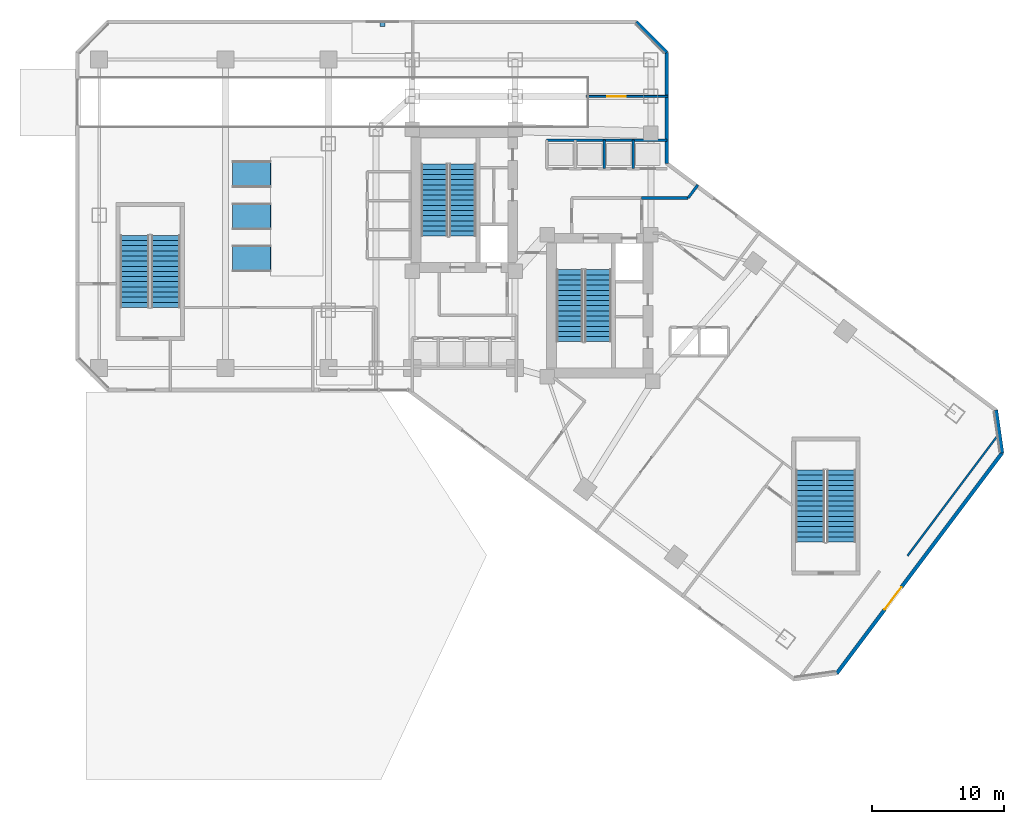
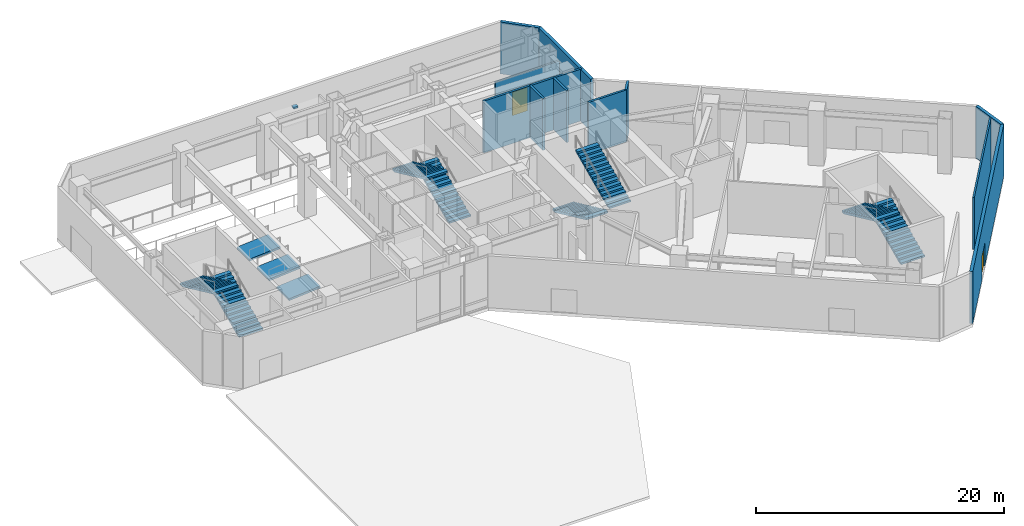
# One storey, part 7 of 13: 11 walls, 8 stair flights, 3 ramp flights, 2 doors, 1 discrete accessory, 2 openings, 7 elements without a shape of their own.
"""IFC4 building model written with IfcOpenShell, lengths in metres."""

from ifc_helpers import new_model, si_unit, direction, frame, frame_2d, origin, origin_2d, place, context, subcontext, project, spatial, polyline, rectangle, outline, extrude, material, layer, layer_set, type_object, element, fill, aggregate, save


model = new_model("IFC4")

# Units and contexts
model_context = context("Model", 3, precision=1e-05, world=origin(), true_north=direction((0.0, 1.0)))
body_context = subcontext(model_context, "Body", "Model", "MODEL_VIEW")
ifc_project = project(units=[si_unit("LENGTHUNIT", "METRE"), si_unit("AREAUNIT", "SQUARE_METRE"), si_unit("VOLUMEUNIT", "CUBIC_METRE"), si_unit("PLANEANGLEUNIT", "RADIAN"), si_unit("MASSUNIT", "GRAM", prefix="KILO")], contexts=[model_context])

# Site, building, storey
site_placement = place(None, origin())
site = spatial("IfcSite", under=ifc_project, at=site_placement, CompositionType="ELEMENT")
building_placement = place(site_placement, origin())
building = spatial("IfcBuilding", under=site, at=building_placement, Name="Hatsunagi Terrace Concourse", CompositionType="ELEMENT")
storey_placement = place(building_placement, origin())
storey = spatial("IfcBuildingStorey", under=building, at=storey_placement, Name="L01", CompositionType="ELEMENT", Elevation=0.0)

# Wall
ifc_material_1 = material(Name="Acoustic mineral board", Category="gypsum")
ifc_layer_1 = layer(ifc_material_1, 0.14990234375)
ifc_layer_set_1 = layer_set([ifc_layer_1], Name="PartitionWall_EI60_150")
wall_type_1 = type_object("IfcWallType", Name="PartitionWall_EI60_150", PredefinedType="PARTITIONING", material=ifc_layer_set_1)
wall_1_placement = place(storey_placement, frame((63.1201171875, 10.9599609375, 0.0), z_axis=(0.0, 0.0, 1.0), x_axis=(0.599980042057, 0.800014968068, 0.0)))
element("IfcWall", 1, at=wall_1_placement, inside=storey, type_object=wall_type_1, Name="Interior Partition IW-L01-061", PredefinedType="PARTITIONING", context=body_context, shape_type="SweptSolid", body=[
    extrude(rectangle(XDim=11.74365234375, YDim=0.14990234375, at=frame_2d((5.871826171875, 0.0))), origin(), (0.0, 0.0, 1.0), 5.10009765625),
])

# Wall, opening, door
wall_2_placement = place(storey_placement, frame((38.77001953125, 45.800048828125, 0.0), z_axis=(0.0, 0.0, 1.0), x_axis=(1.0, 0.0, 0.0)))
wall_2 = element("IfcWall", 2, at=wall_2_placement, inside=storey, type_object=wall_type_1, Name="Interior Partition IW-L01-062", PredefinedType="PARTITIONING", context=body_context, shape_type="SweptSolid", body=[
    extrude(rectangle(XDim=6.18994140625, YDim=0.14990234375, at=frame_2d((3.094970703125, 0.0))), origin(), (0.0, 0.0, 1.0), 3.89501953125),
])
opening_1_placement = place(wall_2_placement, frame((1.589111328125, 0.0, 0.0)))
opening_1 = element("IfcOpeningElement", 3, at=opening_1_placement, cuts=wall_2, Name="Opening DR-140", PredefinedType="OPENING", context=body_context, shape_type="SweptSolid", body=[
    extrude(rectangle(XDim=1.39990234375, YDim=2.300048828125, at=frame_2d((0.699951171875, 1.14990234375))), frame((0.0, 0.0849609375, 0.0), z_axis=(0.0, -1.0, 0.0), x_axis=(1.0, 0.0, 0.0)), (0.0, 0.0, 1.0), 0.169921875),
])
ifc_material_2 = material(Name="Hardwood timber", Category="wood")
door_type_1 = type_object("IfcDoorType", Name="LoungeDiningDoubleDoor_1400", OperationType="DOUBLE_DOOR_SINGLE_SWING", PredefinedType="DOOR", material=ifc_material_2)
door_1_placement = place(opening_1_placement, origin())
door_1 = element("IfcDoor", 4, at=door_1_placement, inside=storey, type_object=door_type_1, Name="Office Shuttle Lobby L01-OLOB Door", OperationType="DOUBLE_DOOR_SINGLE_SWING", OverallHeight=2.300048828125, OverallWidth=1.39990234375, PredefinedType="DOOR", context=body_context, shape_type="SweptSolid", body=[
    extrude(rectangle(XDim=1.39990234375, YDim=2.300048828125, at=frame_2d((0.699951171875, 1.14990234375))), frame((0.0, 0.02490234375, 0.0), z_axis=(0.0, -1.0, 0.0), x_axis=(1.0, 0.0, 0.0)), (0.0, 0.0, 1.0), 0.050048828125),
])
fill(opening_1, door_1)

# Walls
ifc_material_3 = material(Name="Acoustic mineral board", Category="gypsum")
ifc_layer_2 = layer(ifc_material_3, 0.199951171875)
ifc_layer_set_2 = layer_set([ifc_layer_2], Name="ShaftWall_EI120_200")
wall_type_2 = type_object("IfcWallType", Name="ShaftWall_EI120_200", PredefinedType="STANDARD", material=ifc_layer_set_2)
wall_3_placement = place(storey_placement, frame((35.75, 42.47998046875, 0.0), z_axis=(0.0, 0.0, 1.0), x_axis=(1.0, 0.0, 0.0)))
element("IfcWall", 5, at=wall_3_placement, inside=storey, type_object=wall_type_2, Name="Interior Partition IW-L01-019", PredefinedType="STANDARD", context=body_context, shape_type="SweptSolid", body=[
    extrude(rectangle(XDim=9.110107421875, YDim=0.199951171875, at=frame_2d((4.55517578125, 0.0))), origin(), (0.0, 0.0, 1.0), 5.10009765625),
])
for number, where, z_axis, x_axis, name in (
    (6, (40.1201171875, 40.320068359375, 0.0), (0.0, 0.0, 1.0), (0.0, 1.0, 0.0), "Interior Partition IW-L01-022"),
    (7, (42.320068359375, 40.320068359375, 0.0), (0.0, 0.0, 1.0), (0.0, 1.0, 0.0), "Interior Partition IW-L01-023"),
):
    element("IfcWall", number, at=place(storey_placement, frame(where, z_axis=z_axis, x_axis=x_axis)), inside=storey, type_object=wall_type_2, Name=name, PredefinedType="STANDARD", context=body_context, shape_type="SweptSolid", body=[
        extrude(rectangle(XDim=2.159912109375, YDim=0.199951171875, at=frame_2d((1.080078125, 0.0))), origin(), (0.0, 0.0, 1.0), 5.10009765625),
    ])
wall_4_placement = place(storey_placement, frame((42.949951171875, 38.10009765625, 0.0), z_axis=(0.0, 0.0, 1.0), x_axis=(1.0, 0.0, 0.0)))
element("IfcWall", 8, at=wall_4_placement, inside=storey, type_object=wall_type_2, Name="Interior Partition IW-L01-051", PredefinedType="STANDARD", context=body_context, shape_type="SweptSolid", body=[
    extrude(rectangle(XDim=3.530029296875, YDim=0.199951171875, at=frame_2d((1.76513671875, 0.0))), origin(), (0.0, 0.0, 1.0), 5.10009765625),
])
wall_5_placement = place(storey_placement, frame((46.47998046875, 38.10009765625, 0.0), z_axis=(0.0, 0.0, 1.0), x_axis=(0.597523800128, 0.801851175893, 0.0)))
element("IfcWall", 9, at=wall_5_placement, inside=storey, type_object=wall_type_2, Name="Interior Partition IW-L01-052", PredefinedType="STANDARD", context=body_context, shape_type="SweptSolid", body=[
    extrude(rectangle(XDim=1.23193359375, YDim=0.199951171875, at=frame_2d((0.615966796875, 0.0))), origin(), (0.0, 0.0, 1.0), 5.10009765625),
])
ifc_material_4 = material(Name="Autoclaved Lightweight Concrete and Terracotta Cladding", Category="masonry")
ifc_layer_3 = layer(ifc_material_4, 0.280029296875)
ifc_layer_set_3 = layer_set([ifc_layer_3], Name="TerracottaSpandrelWall_280")
wall_type_3 = type_object("IfcWallType", Name="TerracottaSpandrelWall_280", PredefinedType="STANDARD", material=ifc_layer_set_3)
wall_6_placement = place(storey_placement, frame((69.830078125, 22.0029296875, 0.0), z_axis=(0.0, 0.0, 1.0), x_axis=(0.141223223777, -0.989977778067, 0.0)))
element("IfcWall", 10, at=wall_6_placement, inside=storey, type_object=wall_type_3, Name="Exterior Spandrel Wall EW-L01-02", PredefinedType="STANDARD", context=body_context, shape_type="SweptSolid", body=[
    extrude(rectangle(XDim=3.27783203125, YDim=0.280029296875, at=frame_2d((1.638916015625, 0.0))), origin(), (0.0, 0.0, 1.0), 5.10009765625),
])

# Wall, opening, door
wall_7_placement = place(storey_placement, frame((70.29296875, 18.758056640625, 0.0), z_axis=(0.0, 0.0, 1.0), x_axis=(-0.599970072971, -0.800022444397, 0.0)))
wall_7 = element("IfcWall", 11, at=wall_7_placement, inside=storey, type_object=wall_type_3, Name="Exterior Spandrel Wall EW-L01-03", PredefinedType="STANDARD", context=body_context, shape_type="SweptSolid", body=[
    extrude(rectangle(XDim=20.884521484375, YDim=0.280029296875, at=frame_2d((10.4423828125, 0.0))), origin(), (0.0, 0.0, 1.0), 5.10009765625),
])
opening_2_placement = place(wall_7_placement, frame((12.73388671875, 0.0, 0.0)))
opening_2 = element("IfcOpeningElement", 12, at=opening_2_placement, cuts=wall_7, Name="Opening EX-08", PredefinedType="OPENING", context=body_context, shape_type="SweptSolid", body=[
    extrude(rectangle(XDim=2.10009765625, YDim=2.300048828125, at=frame_2d((1.050048828125, 1.14990234375))), frame((0.0, 0.14990234375, 0.0), z_axis=(0.0, -1.0, 0.0), x_axis=(1.0, 0.0, 0.0)), (0.0, 0.0, 1.0), 0.300048828125),
])
ifc_material_5 = material(Name="Galvanised Steel and Laminated Safety Glass", Category="steel")
door_type_2 = type_object("IfcDoorType", Name="ExteriorExitDoor_EX08", OperationType="DOUBLE_SWING_LEFT", PredefinedType="DOOR", material=ifc_material_5)
door_2_placement = place(opening_2_placement, origin())
door_2 = element("IfcDoor", 13, at=door_2_placement, inside=storey, type_object=door_type_2, Name="Grade Final Exit Door EX-08", OperationType="DOUBLE_SWING_LEFT", OverallHeight=2.300048828125, OverallWidth=2.10009765625, PredefinedType="DOOR", context=body_context, shape_type="SweptSolid", body=[
    extrude(rectangle(XDim=2.10009765625, YDim=2.300048828125, at=frame_2d((1.050048828125, 1.14990234375))), frame((0.0, 0.02490234375, 0.0), z_axis=(0.0, -1.0, 0.0), x_axis=(1.0, 0.0, 0.0)), (0.0, 0.0, 1.0), 0.050048828125),
])
fill(opening_2, door_2)

# Walls
wall_8_placement = place(storey_placement, frame((42.5419921875, 51.4599609375, 0.0), z_axis=(0.0, 0.0, 1.0), x_axis=(0.707144017911, -0.707069542501, 0.0)))
element("IfcWall", 14, at=wall_8_placement, inside=storey, type_object=wall_type_3, Name="Exterior Spandrel Wall EW-L01-12", PredefinedType="STANDARD", context=body_context, shape_type="SweptSolid", body=[
    extrude(rectangle(XDim=3.278076171875, YDim=0.280029296875, at=frame_2d((1.63916015625, 0.0))), origin(), (0.0, 0.0, 1.0), 5.10009765625),
])
wall_9_placement = place(storey_placement, frame((44.860107421875, 49.14208984375, 0.0), z_axis=(0.0, 0.0, 1.0), x_axis=(0.0, -1.0, 0.0)))
element("IfcWall", 15, at=wall_9_placement, inside=storey, type_object=wall_type_3, Name="Exterior Spandrel Wall EW-L01-13", PredefinedType="STANDARD", context=body_context, shape_type="SweptSolid", body=[
    extrude(rectangle(XDim=8.412109375, YDim=0.280029296875, at=frame_2d((4.2060546875, 0.0))), origin(), (0.0, 0.0, 1.0), 5.10009765625),
])

# Stair, stair flights
ifc_material_6 = material(Name="Concrete Fc42", Category="concrete")
stair_type_1 = type_object("IfcStairType", Name="DoglegExitStair_Podium2200_30R_180", PredefinedType="HALF_TURN_STAIR", material=ifc_material_6)
stair_1_placement = place(storey_placement, origin())
stair_1 = element("IfcStair", 16, at=stair_1_placement, inside=storey, type_object=stair_type_1, Name="L01 West Podium Convention Exit Stair ST-P1", PredefinedType="HALF_TURN_STAIR")
ifc_material_7 = material(Name="Concrete Fc42", Category="concrete")
stair_flight_type_1 = type_object("IfcStairFlightType", Name="DoglegStairFlight_Podium2200_30R_180", PredefinedType="STRAIGHT", material=ifc_material_7)
stair_flight_1_placement = place(storey_placement, frame((6.85009765625, 29.800048828125, 0.0), z_axis=(0.0, 0.0, 1.0), x_axis=(0.0, 1.0, 0.0)))
stair_flight_1 = element("IfcStairFlight", 17, at=stair_flight_1_placement, type_object=stair_flight_type_1, Name="ST-P1 flight 1", NumberOfRisers=15, NumberOfTreads=14, PredefinedType="STRAIGHT", RiserHeight=0.18, TreadLength=0.39, context=body_context, shape_type="SweptSolid", body=[
    extrude(outline(polyline([(0.0, 0.0), (0.0, 0.179931640625), (0.389892578125, 0.179931640625), (0.389892578125, 0.360107421875), (0.780029296875, 0.360107421875), (0.780029296875, 0.5400390625), (1.169921875, 0.5400390625), (1.169921875, 0.719970703125), (1.56005859375, 0.719970703125), (1.56005859375, 0.89990234375), (1.949951171875, 0.89990234375), (1.949951171875, 1.080078125), (2.340087890625, 1.080078125), (2.340087890625, 1.260009765625), (2.72998046875, 1.260009765625), (2.72998046875, 1.43994140625), (3.1201171875, 1.43994140625), (3.1201171875, 1.6201171875), (3.510009765625, 1.6201171875), (3.510009765625, 1.800048828125), (3.89990234375, 1.800048828125), (3.89990234375, 1.97998046875), (4.2900390625, 1.97998046875), (4.2900390625, 2.159912109375), (4.679931640625, 2.159912109375), (4.679931640625, 2.340087890625), (5.070068359375, 2.340087890625), (5.070068359375, 2.52001953125), (5.4599609375, 2.52001953125), (5.4599609375, 2.699951171875), (5.4599609375, 2.35498046875), (0.357666015625, 0.0), (0.0, 0.0)])), frame((0.0, 1.10009765625, 0.0), z_axis=(0.0, -1.0, 0.0), x_axis=(1.0, 0.0, 0.0)), (0.0, 0.0, 1.0), 2.199951171875),
])
stair_flight_2_placement = place(storey_placement, frame((4.5, 35.260009765625, 2.699951171875), z_axis=(0.0, 0.0, 1.0), x_axis=(0.0, -1.0, 0.0)))
stair_flight_2 = element("IfcStairFlight", 18, at=stair_flight_2_placement, type_object=stair_flight_type_1, Name="ST-P1 flight 2", NumberOfRisers=15, NumberOfTreads=14, PredefinedType="STRAIGHT", RiserHeight=0.18, TreadLength=0.39, context=body_context, shape_type="SweptSolid", body=[
    extrude(outline(polyline([(0.0, 0.0), (0.0, 0.179931640625), (0.389892578125, 0.179931640625), (0.389892578125, 0.360107421875), (0.780029296875, 0.360107421875), (0.780029296875, 0.5400390625), (1.169921875, 0.5400390625), (1.169921875, 0.719970703125), (1.56005859375, 0.719970703125), (1.56005859375, 0.89990234375), (1.949951171875, 0.89990234375), (1.949951171875, 1.080078125), (2.340087890625, 1.080078125), (2.340087890625, 1.260009765625), (2.72998046875, 1.260009765625), (2.72998046875, 1.43994140625), (3.1201171875, 1.43994140625), (3.1201171875, 1.6201171875), (3.510009765625, 1.6201171875), (3.510009765625, 1.800048828125), (3.89990234375, 1.800048828125), (3.89990234375, 1.97998046875), (4.2900390625, 1.97998046875), (4.2900390625, 2.159912109375), (4.679931640625, 2.159912109375), (4.679931640625, 2.340087890625), (5.070068359375, 2.340087890625), (5.070068359375, 2.52001953125), (5.4599609375, 2.52001953125), (5.4599609375, 2.699951171875), (5.4599609375, 2.35498046875), (0.357666015625, 0.0), (0.0, 0.0)])), frame((0.0, 1.10009765625, 0.0), z_axis=(0.0, -1.0, 0.0), x_axis=(1.0, 0.0, 0.0)), (0.0, 0.0, 1.0), 2.199951171875),
])
aggregate(stair_1, [stair_flight_1, stair_flight_2])

stair_2_placement = place(storey_placement, origin())
stair_2 = element("IfcStair", 19, at=stair_2_placement, inside=storey, type_object=stair_type_1, Name="L01 Southeast Podium Ballroom Exit Stair ST-P2", PredefinedType="HALF_TURN_STAIR")
stair_flight_3_placement = place(storey_placement, frame((58.10009765625, 12.0, 0.0), z_axis=(0.0, 0.0, 1.0), x_axis=(0.0, 1.0, 0.0)))
stair_flight_3 = element("IfcStairFlight", 20, at=stair_flight_3_placement, type_object=stair_flight_type_1, Name="ST-P2 flight 1", NumberOfRisers=15, NumberOfTreads=14, PredefinedType="STRAIGHT", RiserHeight=0.18, TreadLength=0.39, context=body_context, shape_type="SweptSolid", body=[
    extrude(outline(polyline([(0.0, 0.0), (0.0, 0.179931640625), (0.389892578125, 0.179931640625), (0.389892578125, 0.360107421875), (0.780029296875, 0.360107421875), (0.780029296875, 0.5400390625), (1.169921875, 0.5400390625), (1.169921875, 0.719970703125), (1.56005859375, 0.719970703125), (1.56005859375, 0.89990234375), (1.949951171875, 0.89990234375), (1.949951171875, 1.080078125), (2.340087890625, 1.080078125), (2.340087890625, 1.260009765625), (2.72998046875, 1.260009765625), (2.72998046875, 1.43994140625), (3.1201171875, 1.43994140625), (3.1201171875, 1.6201171875), (3.510009765625, 1.6201171875), (3.510009765625, 1.800048828125), (3.89990234375, 1.800048828125), (3.89990234375, 1.97998046875), (4.2900390625, 1.97998046875), (4.2900390625, 2.159912109375), (4.679931640625, 2.159912109375), (4.679931640625, 2.340087890625), (5.070068359375, 2.340087890625), (5.070068359375, 2.52001953125), (5.4599609375, 2.52001953125), (5.4599609375, 2.699951171875), (5.4599609375, 2.35498046875), (0.357666015625, 0.0), (0.0, 0.0)])), frame((0.0, 1.10009765625, 0.0), z_axis=(0.0, -1.0, 0.0), x_axis=(1.0, 0.0, 0.0)), (0.0, 0.0, 1.0), 2.199951171875),
])
stair_flight_4_placement = place(storey_placement, frame((55.75, 17.4599609375, 2.699951171875), z_axis=(0.0, 0.0, 1.0), x_axis=(0.0, -1.0, 0.0)))
stair_flight_4 = element("IfcStairFlight", 21, at=stair_flight_4_placement, type_object=stair_flight_type_1, Name="ST-P2 flight 2", NumberOfRisers=15, NumberOfTreads=14, PredefinedType="STRAIGHT", RiserHeight=0.18, TreadLength=0.39, context=body_context, shape_type="SweptSolid", body=[
    extrude(outline(polyline([(0.0, 0.0), (0.0, 0.179931640625), (0.389892578125, 0.179931640625), (0.389892578125, 0.360107421875), (0.780029296875, 0.360107421875), (0.780029296875, 0.5400390625), (1.169921875, 0.5400390625), (1.169921875, 0.719970703125), (1.56005859375, 0.719970703125), (1.56005859375, 0.89990234375), (1.949951171875, 0.89990234375), (1.949951171875, 1.080078125), (2.340087890625, 1.080078125), (2.340087890625, 1.260009765625), (2.72998046875, 1.260009765625), (2.72998046875, 1.43994140625), (3.1201171875, 1.43994140625), (3.1201171875, 1.6201171875), (3.510009765625, 1.6201171875), (3.510009765625, 1.800048828125), (3.89990234375, 1.800048828125), (3.89990234375, 1.97998046875), (4.2900390625, 1.97998046875), (4.2900390625, 2.159912109375), (4.679931640625, 2.159912109375), (4.679931640625, 2.340087890625), (5.070068359375, 2.340087890625), (5.070068359375, 2.52001953125), (5.4599609375, 2.52001953125), (5.4599609375, 2.699951171875), (5.4599609375, 2.35498046875), (0.357666015625, 0.0), (0.0, 0.0)])), frame((0.0, 1.10009765625, 0.0), z_axis=(0.0, -1.0, 0.0), x_axis=(1.0, 0.0, 0.0)), (0.0, 0.0, 1.0), 2.199951171875),
])
aggregate(stair_2, [stair_flight_3, stair_flight_4])

ifc_material_8 = material(Name="Concrete Fc42", Category="concrete")
stair_type_2 = type_object("IfcStairType", Name="DoglegExitStair_Tower2000_30R_180", PredefinedType="HALF_TURN_STAIR", material=ifc_material_8)
stair_3_placement = place(storey_placement, origin())
stair_3 = element("IfcStair", 22, at=stair_3_placement, inside=storey, type_object=stair_type_2, Name="L01 Core A Protected Exit Stair ST-A", PredefinedType="HALF_TURN_STAIR")
ifc_material_9 = material(Name="Concrete Fc42", Category="concrete")
stair_flight_type_2 = type_object("IfcStairFlightType", Name="DoglegStairFlight_Tower2000_30R_180", PredefinedType="STRAIGHT", material=ifc_material_9)
stair_flight_5_placement = place(storey_placement, frame((29.3798828125, 35.199951171875, 0.0), z_axis=(0.0, 0.0, 1.0), x_axis=(0.0, 1.0, 0.0)))
stair_flight_5 = element("IfcStairFlight", 23, at=stair_flight_5_placement, type_object=stair_flight_type_2, Name="ST-A flight 1", NumberOfRisers=15, NumberOfTreads=14, PredefinedType="STRAIGHT", RiserHeight=0.18, TreadLength=0.39, context=body_context, shape_type="SweptSolid", body=[
    extrude(outline(polyline([(0.0, 0.0), (0.0, 0.179931640625), (0.389892578125, 0.179931640625), (0.389892578125, 0.360107421875), (0.780029296875, 0.360107421875), (0.780029296875, 0.5400390625), (1.169921875, 0.5400390625), (1.169921875, 0.719970703125), (1.56005859375, 0.719970703125), (1.56005859375, 0.89990234375), (1.949951171875, 0.89990234375), (1.949951171875, 1.080078125), (2.340087890625, 1.080078125), (2.340087890625, 1.260009765625), (2.72998046875, 1.260009765625), (2.72998046875, 1.43994140625), (3.1201171875, 1.43994140625), (3.1201171875, 1.6201171875), (3.510009765625, 1.6201171875), (3.510009765625, 1.800048828125), (3.89990234375, 1.800048828125), (3.89990234375, 1.97998046875), (4.2900390625, 1.97998046875), (4.2900390625, 2.159912109375), (4.679931640625, 2.159912109375), (4.679931640625, 2.340087890625), (5.070068359375, 2.340087890625), (5.070068359375, 2.52001953125), (5.4599609375, 2.52001953125), (5.4599609375, 2.699951171875), (5.4599609375, 2.35498046875), (0.357666015625, 0.0), (0.0, 0.0)])), frame((0.0, 1.0, 0.0), z_axis=(0.0, -1.0, 0.0), x_axis=(1.0, 0.0, 0.0)), (0.0, 0.0, 1.0), 2.0),
])
stair_flight_6_placement = place(storey_placement, frame((27.22998046875, 40.659912109375, 2.699951171875), z_axis=(0.0, 0.0, 1.0), x_axis=(0.0, -1.0, 0.0)))
stair_flight_6 = element("IfcStairFlight", 24, at=stair_flight_6_placement, type_object=stair_flight_type_2, Name="ST-A flight 2", NumberOfRisers=15, NumberOfTreads=14, PredefinedType="STRAIGHT", RiserHeight=0.18, TreadLength=0.39, context=body_context, shape_type="SweptSolid", body=[
    extrude(outline(polyline([(0.0, 0.0), (0.0, 0.179931640625), (0.389892578125, 0.179931640625), (0.389892578125, 0.360107421875), (0.780029296875, 0.360107421875), (0.780029296875, 0.5400390625), (1.169921875, 0.5400390625), (1.169921875, 0.719970703125), (1.56005859375, 0.719970703125), (1.56005859375, 0.89990234375), (1.949951171875, 0.89990234375), (1.949951171875, 1.080078125), (2.340087890625, 1.080078125), (2.340087890625, 1.260009765625), (2.72998046875, 1.260009765625), (2.72998046875, 1.43994140625), (3.1201171875, 1.43994140625), (3.1201171875, 1.6201171875), (3.510009765625, 1.6201171875), (3.510009765625, 1.800048828125), (3.89990234375, 1.800048828125), (3.89990234375, 1.97998046875), (4.2900390625, 1.97998046875), (4.2900390625, 2.159912109375), (4.679931640625, 2.159912109375), (4.679931640625, 2.340087890625), (5.070068359375, 2.340087890625), (5.070068359375, 2.52001953125), (5.4599609375, 2.52001953125), (5.4599609375, 2.699951171875), (5.4599609375, 2.35498046875), (0.357666015625, 0.0), (0.0, 0.0)])), frame((0.0, 1.0, 0.0), z_axis=(0.0, -1.0, 0.0), x_axis=(1.0, 0.0, 0.0)), (0.0, 0.0, 1.0), 2.0),
])
aggregate(stair_3, [stair_flight_5, stair_flight_6])

stair_4_placement = place(storey_placement, origin())
stair_4 = element("IfcStair", 25, at=stair_4_placement, inside=storey, type_object=stair_type_2, Name="L01 Core B Protected Exit Stair ST-B", PredefinedType="HALF_TURN_STAIR")
stair_flight_7_placement = place(storey_placement, frame((37.5, 32.659912109375, 0.0), z_axis=(0.0, 0.0, 1.0), x_axis=(0.0, -1.0, 0.0)))
stair_flight_7 = element("IfcStairFlight", 26, at=stair_flight_7_placement, type_object=stair_flight_type_2, Name="ST-B flight 1", NumberOfRisers=15, NumberOfTreads=14, PredefinedType="STRAIGHT", RiserHeight=0.18, TreadLength=0.39, context=body_context, shape_type="SweptSolid", body=[
    extrude(outline(polyline([(0.0, 0.0), (0.0, 0.179931640625), (0.389892578125, 0.179931640625), (0.389892578125, 0.360107421875), (0.780029296875, 0.360107421875), (0.780029296875, 0.5400390625), (1.169921875, 0.5400390625), (1.169921875, 0.719970703125), (1.56005859375, 0.719970703125), (1.56005859375, 0.89990234375), (1.949951171875, 0.89990234375), (1.949951171875, 1.080078125), (2.340087890625, 1.080078125), (2.340087890625, 1.260009765625), (2.72998046875, 1.260009765625), (2.72998046875, 1.43994140625), (3.1201171875, 1.43994140625), (3.1201171875, 1.6201171875), (3.510009765625, 1.6201171875), (3.510009765625, 1.800048828125), (3.89990234375, 1.800048828125), (3.89990234375, 1.97998046875), (4.2900390625, 1.97998046875), (4.2900390625, 2.159912109375), (4.679931640625, 2.159912109375), (4.679931640625, 2.340087890625), (5.070068359375, 2.340087890625), (5.070068359375, 2.52001953125), (5.4599609375, 2.52001953125), (5.4599609375, 2.699951171875), (5.4599609375, 2.35498046875), (0.357666015625, 0.0), (0.0, 0.0)])), frame((0.0, 1.0, 0.0), z_axis=(0.0, -1.0, 0.0), x_axis=(1.0, 0.0, 0.0)), (0.0, 0.0, 1.0), 2.0),
])
stair_flight_8_placement = place(storey_placement, frame((39.64990234375, 27.199951171875, 2.699951171875), z_axis=(0.0, 0.0, 1.0), x_axis=(0.0, 1.0, 0.0)))
stair_flight_8 = element("IfcStairFlight", 27, at=stair_flight_8_placement, type_object=stair_flight_type_2, Name="ST-B flight 2", NumberOfRisers=15, NumberOfTreads=14, PredefinedType="STRAIGHT", RiserHeight=0.18, TreadLength=0.39, context=body_context, shape_type="SweptSolid", body=[
    extrude(outline(polyline([(0.0, 0.0), (0.0, 0.179931640625), (0.389892578125, 0.179931640625), (0.389892578125, 0.360107421875), (0.780029296875, 0.360107421875), (0.780029296875, 0.5400390625), (1.169921875, 0.5400390625), (1.169921875, 0.719970703125), (1.56005859375, 0.719970703125), (1.56005859375, 0.89990234375), (1.949951171875, 0.89990234375), (1.949951171875, 1.080078125), (2.340087890625, 1.080078125), (2.340087890625, 1.260009765625), (2.72998046875, 1.260009765625), (2.72998046875, 1.43994140625), (3.1201171875, 1.43994140625), (3.1201171875, 1.6201171875), (3.510009765625, 1.6201171875), (3.510009765625, 1.800048828125), (3.89990234375, 1.800048828125), (3.89990234375, 1.97998046875), (4.2900390625, 1.97998046875), (4.2900390625, 2.159912109375), (4.679931640625, 2.159912109375), (4.679931640625, 2.340087890625), (5.070068359375, 2.340087890625), (5.070068359375, 2.52001953125), (5.4599609375, 2.52001953125), (5.4599609375, 2.699951171875), (5.4599609375, 2.35498046875), (0.357666015625, 0.0), (0.0, 0.0)])), frame((0.0, 1.0, 0.0), z_axis=(0.0, -1.0, 0.0), x_axis=(1.0, 0.0, 0.0)), (0.0, 0.0, 1.0), 2.0),
])
aggregate(stair_4, [stair_flight_7, stair_flight_8])

# Ramp, ramp flight
ifc_material_10 = material(Name="Concrete Fc42", Category="concrete")
ifc_layer_4 = layer(ifc_material_10, 0.199951171875)
ifc_layer_set_4 = layer_set([ifc_layer_4], Name="PlazaAccessibleRamp_Fc42")
ramp_type = type_object("IfcRampType", Name="PlazaAccessibleRamp_Fc42", PredefinedType="NOTDEFINED", material=ifc_layer_set_4)
ramp_1_placement = place(storey_placement, origin())
ramp_1 = element("IfcRamp", 28, at=ramp_1_placement, inside=storey, type_object=ramp_type, Name="Concourse Barrier-Free Accessible Ramp 1", PredefinedType="NOTDEFINED")
ifc_material_11 = material(Name="Concrete Fc42", Category="concrete")
ifc_layer_5 = layer(ifc_material_11, 0.199951171875)
ifc_layer_set_5 = layer_set([ifc_layer_5], Name="PlazaAccessibleRampFlight_Fc42")
ramp_flight_type = type_object("IfcRampFlightType", Name="PlazaAccessibleRampFlight_Fc42", PredefinedType="STRAIGHT", material=ifc_layer_set_5)
ramp_flight_1_placement = place(storey_placement, frame((11.919921875, 32.5, 0.0), z_axis=(-0.082469191268, 0.0, 0.996593614515), x_axis=(0.996593614515, 0.0, 0.082469191268)))
ramp_flight_1 = element("IfcRampFlight", 29, at=ramp_flight_1_placement, type_object=ramp_flight_type, Name="Concourse Barrier-Free Accessible Ramp 1 Flight", PredefinedType="STRAIGHT", context=body_context, shape_type="SweptSolid", body=[
    extrude(outline(polyline([(0.0, 0.0), (2.910059268026691, 0.0), (2.910059268026691, 2.0), (0.0, 2.0), (0.0, 0.0)])), origin(), (0.0, 0.0, -1.0), 0.199951171875),
])
aggregate(ramp_1, [ramp_flight_1])

ramp_2_placement = place(storey_placement, origin())
ramp_2 = element("IfcRamp", 30, at=ramp_2_placement, inside=storey, type_object=ramp_type, Name="Concourse Barrier-Free Accessible Ramp 2", PredefinedType="NOTDEFINED")
ramp_flight_2_placement = place(storey_placement, frame((11.919921875, 35.699951171875, 0.0), z_axis=(-0.082469191268, 0.0, 0.996593614515), x_axis=(0.996593614515, 0.0, 0.082469191268)))
ramp_flight_2 = element("IfcRampFlight", 31, at=ramp_flight_2_placement, type_object=ramp_flight_type, Name="Concourse Barrier-Free Accessible Ramp 2 Flight", PredefinedType="STRAIGHT", context=body_context, shape_type="SweptSolid", body=[
    extrude(outline(polyline([(0.0, 0.0), (2.910059268026691, 0.0), (2.910059268026691, 2.0), (0.0, 2.0), (0.0, 0.0)])), origin(), (0.0, 0.0, -1.0), 0.199951171875),
])
aggregate(ramp_2, [ramp_flight_2])

ramp_3_placement = place(storey_placement, origin())
ramp_3 = element("IfcRamp", 32, at=ramp_3_placement, inside=storey, type_object=ramp_type, Name="Concourse Barrier-Free Accessible Ramp 3", PredefinedType="NOTDEFINED")
ramp_flight_3_placement = place(storey_placement, frame((11.919921875, 38.89990234375, 0.0), z_axis=(-0.082469191268, 0.0, 0.996593614515), x_axis=(0.996593614515, 0.0, 0.082469191268)))
ramp_flight_3 = element("IfcRampFlight", 33, at=ramp_flight_3_placement, type_object=ramp_flight_type, Name="Concourse Barrier-Free Accessible Ramp 3 Flight", PredefinedType="STRAIGHT", context=body_context, shape_type="SweptSolid", body=[
    extrude(outline(polyline([(0.0, 0.0), (2.910059268026691, 0.0), (2.910059268026691, 2.0), (0.0, 2.0), (0.0, 0.0)])), origin(), (0.0, 0.0, -1.0), 0.199951171875),
])
aggregate(ramp_3, [ramp_flight_3])

# Discrete accessory
ifc_material_12 = material(Name="Stainless Steel SUS316 Bracket", Category="steel")
discrete_accessory_type = type_object("IfcDiscreteAccessoryType", Name="FacadeScreenSupportBracket_SS", PredefinedType="BRACKET", material=ifc_material_12)
discrete_accessory_placement = place(storey_placement, frame((23.302001953125, 51.280029296875, 3.4599609375), z_axis=(0.0, 0.0, 1.0), x_axis=(1.0, 0.0, 0.0)))
element("IfcDiscreteAccessory", 34, at=discrete_accessory_placement, inside=storey, type_object=discrete_accessory_type, Name="Entrance Canopy Tie Bracket 11", PredefinedType="BRACKET", context=body_context, shape_type="SweptSolid", body=[
    extrude(rectangle(XDim=0.39990234375, YDim=0.360107421875, at=origin_2d()), origin(), (0.0, 0.0, 1.0), 0.159912109375),
])

save(model, "model.ifc")
